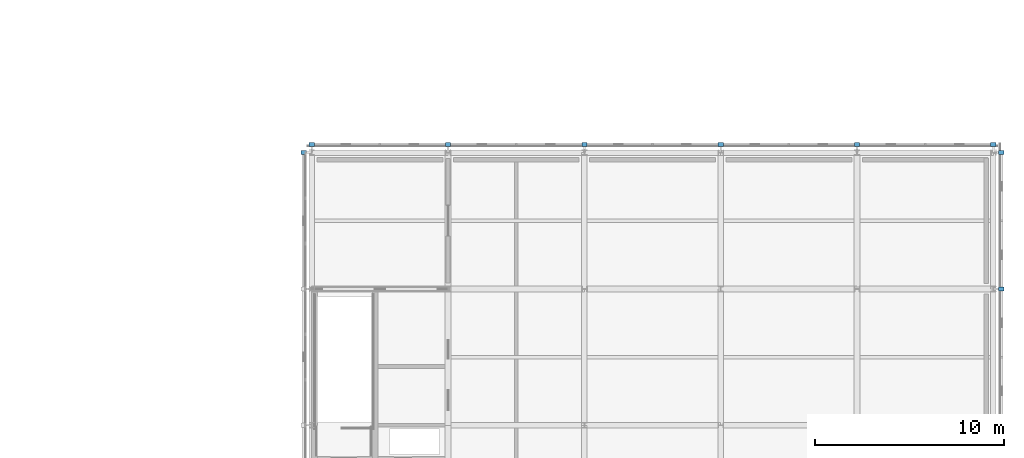
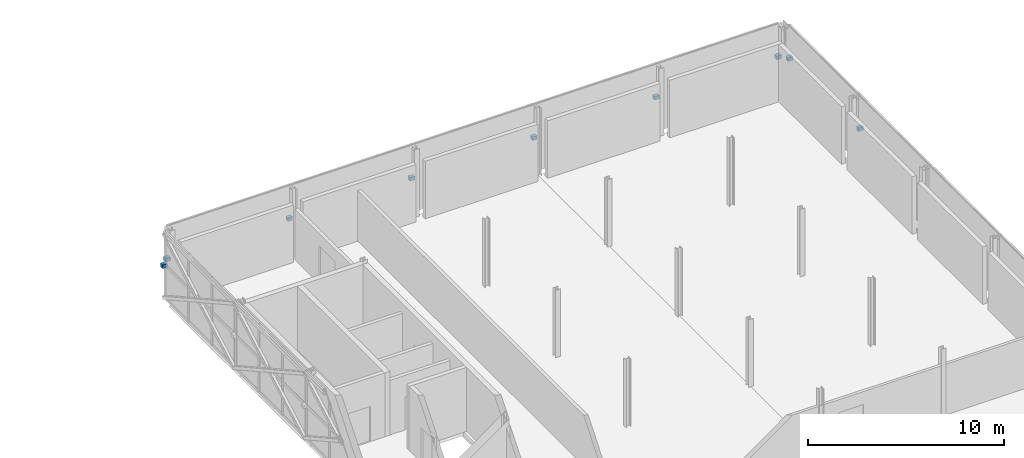
# One storey, part 133 of 146: 9 discrete accessories.
"""IFC4 building model written with IfcOpenShell, lengths in metres."""

from ifc_helpers import new_model, si_unit, direction, frame, origin, origin_2d, place, context, subcontext, project, spatial, rectangle, extrude, material, type_object, element, save


model = new_model("IFC4")

# Units and contexts
model_context = context("Model", 3, precision=1e-05, world=origin(), true_north=direction((0.0, 1.0)))
body_context = subcontext(model_context, "Body", "Model", "MODEL_VIEW")
ifc_project = project(units=[si_unit("LENGTHUNIT", "METRE"), si_unit("AREAUNIT", "SQUARE_METRE"), si_unit("VOLUMEUNIT", "CUBIC_METRE"), si_unit("PLANEANGLEUNIT", "RADIAN"), si_unit("MASSUNIT", "GRAM", prefix="KILO")], contexts=[model_context])

# Site, building, storey
site_placement = place(None, origin())
site = spatial("IfcSite", under=ifc_project, at=site_placement, CompositionType="ELEMENT")
building_placement = place(site_placement, origin())
building = spatial("IfcBuilding", under=site, at=building_placement, Name="Zlatovets Crest Museum", CompositionType="ELEMENT")
storey_placement = place(building_placement, frame((0.0, 0.0, 4.5)))
storey = spatial("IfcBuildingStorey", under=building, at=storey_placement, Name="L01", CompositionType="ELEMENT", Elevation=4.5)

# Discrete accessories
ifc_material = material(Name="Structural steel S355J2", Category="steel")
discrete_accessory_type = type_object("IfcDiscreteAccessoryType", Name="LatticeBracket_BK01", PredefinedType="BRACKET", material=ifc_material)
for number, where, z_axis, x_axis, name in (
    (1, (166.02001953125, 93.60009765625, 1.990234375), (0.0, 0.0, 1.0), (1.0, 0.0, 0.0), "Bronze Lattice Structural Collector Bracket"),
    (2, (166.02001953125, 100.800048828125, 1.990234375), (0.0, 0.0, 1.0), (1.0, 0.0, 0.0), "Bronze Lattice Structural Collector Bracket"),
    (3, (165.60009765625, 101.219970703125, 1.990234375), (0.0, 0.0, 1.0), (1.0, 0.0, 0.0), "Bronze Lattice Structural Collector Bracket"),
    (4, (158.39990234375, 101.219970703125, 1.990234375), (0.0, 0.0, 1.0), (1.0, 0.0, 0.0), "Bronze Lattice Structural Collector Bracket"),
    (5, (151.199951171875, 101.219970703125, 1.990234375), (0.0, 0.0, 1.0), (1.0, 0.0, 0.0), "Bronze Lattice Structural Collector Bracket"),
    (6, (144.0, 101.219970703125, 1.990234375), (0.0, 0.0, 1.0), (1.0, 0.0, 0.0), "Bronze Lattice Structural Collector Bracket"),
    (7, (136.800048828125, 101.219970703125, 1.990234375), (0.0, 0.0, 1.0), (1.0, 0.0, 0.0), "Bronze Lattice Structural Collector Bracket"),
    (8, (129.60009765625, 101.219970703125, 1.990234375), (0.0, 0.0, 1.0), (1.0, 0.0, 0.0), "Bronze Lattice Structural Collector Bracket"),
    (9, (129.179931640625, 100.800048828125, 1.990234375), (0.0, 0.0, 1.0), (1.0, 0.0, 0.0), "Bronze Lattice Structural Collector Bracket"),
):
    element("IfcDiscreteAccessory", number, at=place(storey_placement, frame(where, z_axis=z_axis, x_axis=x_axis)), inside=storey, type_object=discrete_accessory_type, Name=name, PredefinedType="BRACKET", context=body_context, shape_type="SweptSolid", body=[
        extrude(rectangle(XDim=0.280029296875, YDim=0.219970703125, at=origin_2d()), origin(), (0.0, 0.0, 1.0), 0.219970703125),
    ])

save(model, "model.ifc")
